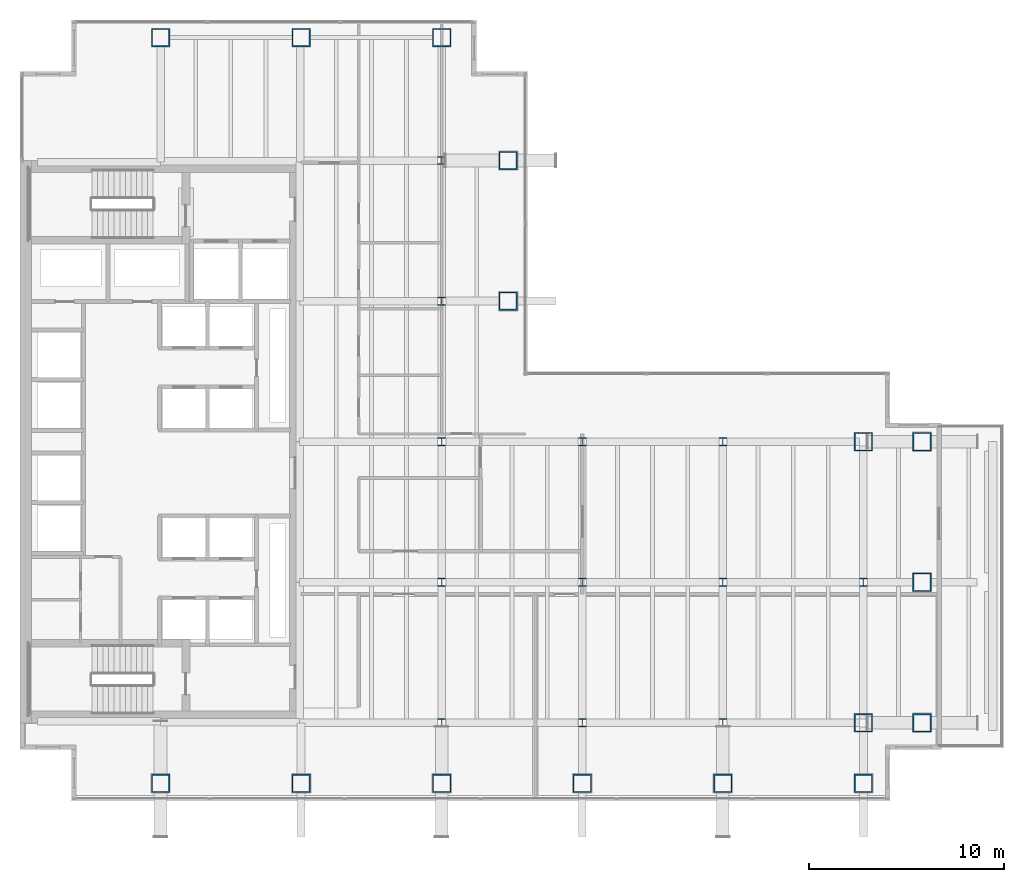
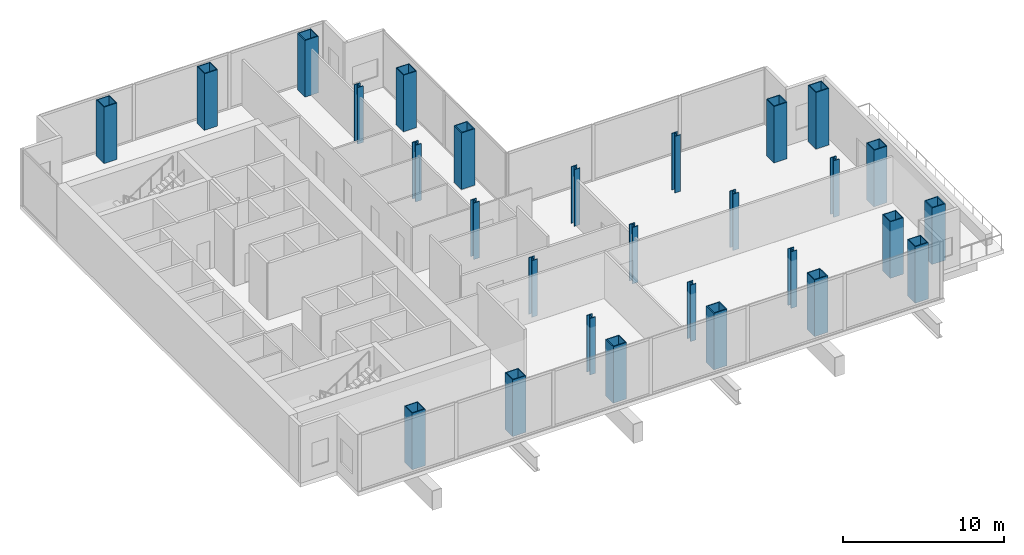
# One storey, part 1 of 16: 28 columns.
"""IFC4 building model written with IfcOpenShell, lengths in metres."""

from ifc_helpers import new_model, si_unit, direction, frame, origin, origin_2d, place, context, subcontext, project, spatial, hollow_rectangle, i_section, extrude, material, material_profile, profile_set, type_object, element, save


model = new_model("IFC4")

# Units and contexts
model_context = context("Model", 3, precision=1e-05, world=origin(), true_north=direction((0.0, 1.0)))
body_context = subcontext(model_context, "Body", "Model", "MODEL_VIEW")
ifc_project = project(units=[si_unit("LENGTHUNIT", "METRE"), si_unit("AREAUNIT", "SQUARE_METRE"), si_unit("VOLUMEUNIT", "CUBIC_METRE"), si_unit("PLANEANGLEUNIT", "RADIAN"), si_unit("MASSUNIT", "GRAM", prefix="KILO")], contexts=[model_context])

# Site, building, storey
site_placement = place(None, origin())
site = spatial("IfcSite", under=ifc_project, at=site_placement, CompositionType="ELEMENT")
building_placement = place(site_placement, origin())
building = spatial("IfcBuilding", under=site, at=building_placement, Name="Cobrela Telecom Tower", CompositionType="ELEMENT")
storey_placement = place(building_placement, frame((0.0, 0.0, 97.64990234375)))
storey = spatial("IfcBuildingStorey", under=building, at=storey_placement, Name="L24", CompositionType="ELEMENT", Elevation=97.64990234375)

# Columns
ifc_material_1 = material(Name="Steel ASTM A992 Grade 50", Category="steel")
ifc_material_profile_1 = material_profile(ifc_material_1, i_section(OverallWidth=0.408935546875, OverallDepth=0.424072265625, WebThickness=0.03271484375, FlangeThickness=0.052490234375, FilletRadius=0.01806640625, at=origin_2d()), Name="W14X283")
ifc_profile_set_1 = profile_set([ifc_material_profile_1], Name="Steel ASTM A992 Grade 50")
column_type_1 = type_object("IfcColumnType", Name="COL-INT-05", PredefinedType="COLUMN", material=ifc_profile_set_1)
for number, where, z_axis, x_axis, name in (
    (1, (21.60009765625, 7.199951171875, 0.0), (0.0, 0.0, 1.0), (1.0, 0.0, 0.0), "L24 Interior Column 06"),
    (2, (21.60009765625, 14.39990234375, 0.0), (0.0, 0.0, 1.0), (1.0, 0.0, 0.0), "L24 Interior Column 07"),
    (3, (21.60009765625, 21.60009765625, 0.0), (0.0, 0.0, 1.0), (1.0, 0.0, 0.0), "L24 Interior Column 08"),
    (4, (21.60009765625, 28.800048828125, 0.0), (0.0, 0.0, 1.0), (1.0, 0.0, 0.0), "L24 Interior Column 09"),
    (5, (21.60009765625, 36.0, 0.0), (0.0, 0.0, 1.0), (1.0, 0.0, 0.0), "L24 Interior Column 10"),
    (6, (28.800048828125, 7.199951171875, 0.0), (0.0, 0.0, 1.0), (1.0, 0.0, 0.0), "L24 Interior Column 15"),
    (7, (28.800048828125, 14.39990234375, 0.0), (0.0, 0.0, 1.0), (1.0, 0.0, 0.0), "L24 Interior Column 16"),
    (8, (28.800048828125, 21.60009765625, 0.0), (0.0, 0.0, 1.0), (1.0, 0.0, 0.0), "L24 Interior Column 17"),
    (9, (36.0, 7.199951171875, 0.0), (0.0, 0.0, 1.0), (1.0, 0.0, 0.0), "L24 Interior Column 19"),
    (10, (36.0, 14.39990234375, 0.0), (0.0, 0.0, 1.0), (1.0, 0.0, 0.0), "L24 Interior Column 20"),
    (11, (36.0, 21.60009765625, 0.0), (0.0, 0.0, 1.0), (1.0, 0.0, 0.0), "L24 Interior Column 21"),
    (12, (43.199951171875, 14.39990234375, 0.0), (0.0, 0.0, 1.0), (1.0, 0.0, 0.0), "L24 Interior Column 24"),
):
    element("IfcColumn", number, at=place(storey_placement, frame(where, z_axis=z_axis, x_axis=x_axis)), inside=storey, type_object=column_type_1, Name=name, PredefinedType="COLUMN", context=body_context, shape_type="SweptSolid", body=[
        extrude(i_section(OverallWidth=0.408935546875, OverallDepth=0.424072265625, WebThickness=0.03271484375, FlangeThickness=0.052490234375, FilletRadius=0.01806640625, at=origin_2d()), origin(), (0.0, 0.0, 1.0), 4.280029296875),
    ])
ifc_material_2 = material(Name="Steel ASTM A572 Grade 50", Category="steel")
ifc_material_profile_2 = material_profile(ifc_material_2, hollow_rectangle(XDim=0.949951171875, YDim=0.949951171875, WallThickness=0.06005859375, at=origin_2d()), Name="BOX 950x950x60")
ifc_profile_set_2 = profile_set([ifc_material_profile_2], Name="Steel ASTM A572 Grade 50")
column_type_2 = type_object("IfcColumnType", Name="COL-MEGA-04", PredefinedType="COLUMN", material=ifc_profile_set_2)
for number, where, z_axis, x_axis, name in (
    (13, (7.199951171875, 4.10009765625, 0.0), (0.0, 0.0, 1.0), (1.0, 0.0, 0.0), "L24 Perimeter Mega-Column 01"),
    (14, (7.199951171875, 42.300048828125, 0.0), (0.0, 0.0, 1.0), (1.0, 0.0, 0.0), "L24 Perimeter Mega-Column 02"),
    (15, (14.39990234375, 4.10009765625, 0.0), (0.0, 0.0, 1.0), (1.0, 0.0, 0.0), "L24 Perimeter Mega-Column 03"),
    (16, (14.39990234375, 42.300048828125, 0.0), (0.0, 0.0, 1.0), (1.0, 0.0, 0.0), "L24 Perimeter Mega-Column 04"),
    (17, (21.60009765625, 4.10009765625, 0.0), (0.0, 0.0, 1.0), (1.0, 0.0, 0.0), "L24 Perimeter Mega-Column 05"),
    (18, (21.60009765625, 42.300048828125, 0.0), (0.0, 0.0, 1.0), (1.0, 0.0, 0.0), "L24 Perimeter Mega-Column 11"),
    (19, (25.0, 28.800048828125, 0.0), (0.0, 0.0, 1.0), (1.0, 0.0, 0.0), "L24 Perimeter Mega-Column 12"),
    (20, (25.0, 36.0, 0.0), (0.0, 0.0, 1.0), (1.0, 0.0, 0.0), "L24 Perimeter Mega-Column 13"),
    (21, (28.800048828125, 4.10009765625, 0.0), (0.0, 0.0, 1.0), (1.0, 0.0, 0.0), "L24 Perimeter Mega-Column 14"),
    (22, (36.0, 4.10009765625, 0.0), (0.0, 0.0, 1.0), (1.0, 0.0, 0.0), "L24 Perimeter Mega-Column 18"),
    (23, (43.199951171875, 4.10009765625, 0.0), (0.0, 0.0, 1.0), (1.0, 0.0, 0.0), "L24 Perimeter Mega-Column 22"),
    (24, (43.199951171875, 7.199951171875, 0.0), (0.0, 0.0, 1.0), (1.0, 0.0, 0.0), "L24 Perimeter Mega-Column 23"),
    (25, (43.199951171875, 21.60009765625, 0.0), (0.0, 0.0, 1.0), (1.0, 0.0, 0.0), "L24 Perimeter Mega-Column 25"),
    (26, (46.199951171875, 7.199951171875, 0.0), (0.0, 0.0, 1.0), (1.0, 0.0, 0.0), "L24 Perimeter Mega-Column 26"),
    (27, (46.199951171875, 14.39990234375, 0.0), (0.0, 0.0, 1.0), (1.0, 0.0, 0.0), "L24 Perimeter Mega-Column 27"),
    (28, (46.199951171875, 21.60009765625, 0.0), (0.0, 0.0, 1.0), (1.0, 0.0, 0.0), "L24 Perimeter Mega-Column 28"),
):
    element("IfcColumn", number, at=place(storey_placement, frame(where, z_axis=z_axis, x_axis=x_axis)), inside=storey, type_object=column_type_2, Name=name, PredefinedType="COLUMN", context=body_context, shape_type="SweptSolid", body=[
        extrude(hollow_rectangle(XDim=0.949951171875, YDim=0.949951171875, WallThickness=0.06005859375, at=origin_2d()), origin(), (0.0, 0.0, 1.0), 4.280029296875),
    ])

save(model, "model.ifc")
